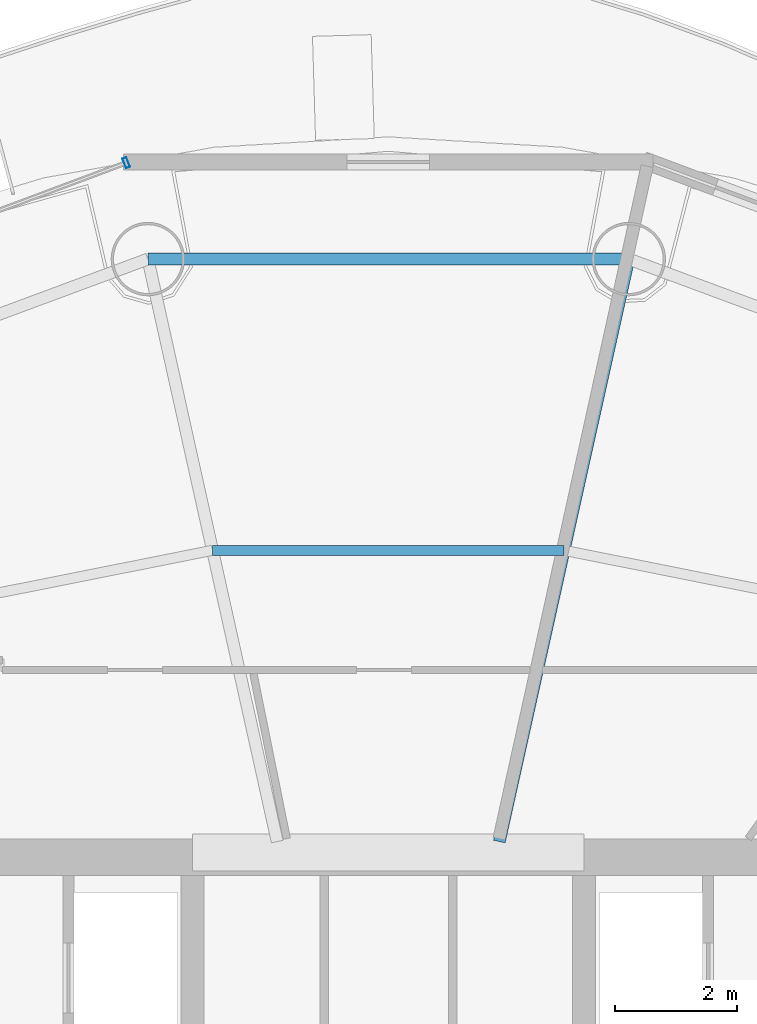
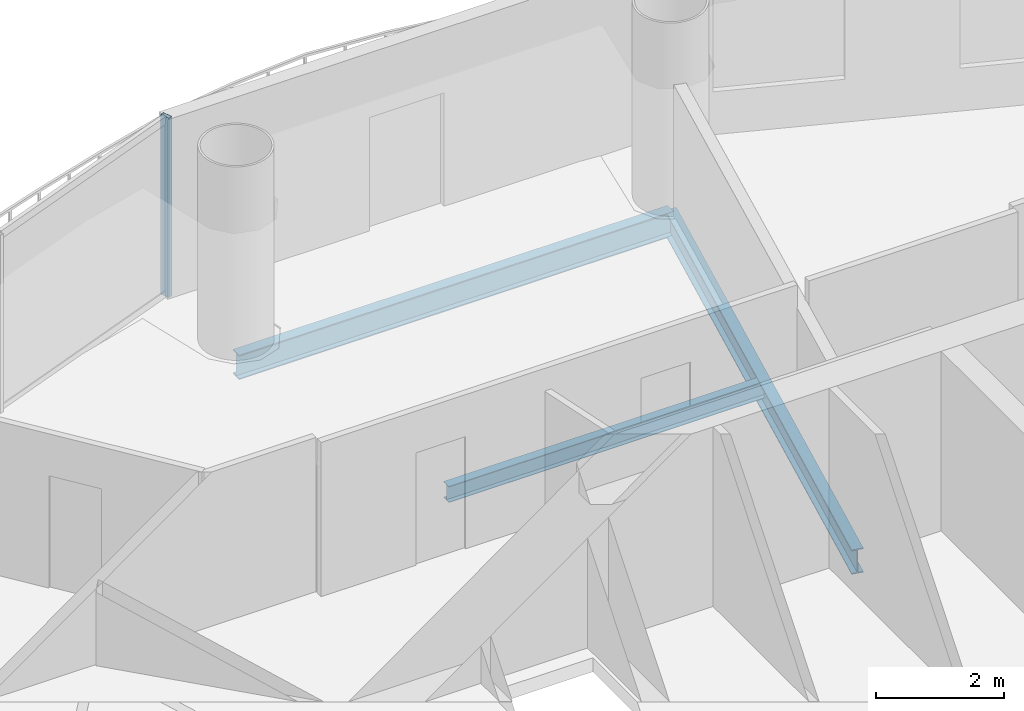
# One storey, part 16 of 26: 3 beams, 1 member, 1 element without a shape of its own.
"""IFC4 building model written with IfcOpenShell, lengths in metres."""

from ifc_helpers import new_model, si_unit, direction, frame, origin, origin_2d, place, context, subcontext, project, spatial, hollow_rectangle, i_section, extrude, source, transform, mapped, material, material_profile, profile_set, type_object, element, aggregate, save


model = new_model("IFC4")

# Units and contexts
model_context = context("Model", 3, precision=1e-05, world=origin(), true_north=direction((-0.2419218956, 0.970295726276)))
body_context = subcontext(model_context, "Body", "Model", "MODEL_VIEW")
ifc_project = project(units=[si_unit("LENGTHUNIT", "METRE"), si_unit("AREAUNIT", "SQUARE_METRE"), si_unit("VOLUMEUNIT", "CUBIC_METRE"), si_unit("PLANEANGLEUNIT", "RADIAN"), si_unit("MASSUNIT", "GRAM", prefix="KILO")], contexts=[model_context])

# Site, building, storey
site_placement = place(None, origin())
site = spatial("IfcSite", under=ifc_project, at=site_placement, CompositionType="ELEMENT")
building_placement = place(site_placement, origin())
building = spatial("IfcBuilding", under=site, at=building_placement, Name="Cobrevalo Terracotta Tower", CompositionType="ELEMENT")
storey_placement = place(building_placement, frame((0.0, 0.0, 220.800048828125)))
storey = spatial("IfcBuildingStorey", under=building, at=storey_placement, Name="L58", CompositionType="ELEMENT", Elevation=220.800048828125)

# Beams
ifc_material_1 = material(Name="Steel S355", Category="steel")
ifc_material_profile_1 = material_profile(ifc_material_1, i_section(OverallWidth=0.194091796875, OverallDepth=0.468994140625, WebThickness=0.011474609375, FlangeThickness=0.0205078125, at=origin_2d()), Name="W 460x106")
ifc_profile_set_1 = profile_set([ifc_material_profile_1], Name="Steel S355")
beam_type_1 = type_object("IfcBeamType", Name="Structural Beam W 460x106 (Steel S355)", PredefinedType="BEAM", material=ifc_profile_set_1)
beam_1_placement = place(storey_placement, frame((41.93115234375, 44.503173828125, -0.49951171875), z_axis=(-0.216782061165, -0.976220025382, 0.0), x_axis=(0.976220025382, -0.216782061165, 0.0)))
element("IfcBeam", 1, at=beam_1_placement, inside=storey, type_object=beam_type_1, Name="L58 radial floor girder 04", PredefinedType="BEAM", context=body_context, shape_type="SweptSolid", body=[
    extrude(i_section(OverallWidth=0.194091796875, OverallDepth=0.468994140625, WebThickness=0.011474609375, FlangeThickness=0.0205078125, at=origin_2d()), origin(), (0.0, 0.0, 1.0), 9.755126953125),
])
ifc_material_profile_2 = material_profile(ifc_material_1, i_section(OverallWidth=0.1650390625, OverallDepth=0.31005859375, WebThickness=0.005859375, FlangeThickness=0.009765625, at=origin_2d()), Name="W 310x38.7")
ifc_profile_set_2 = profile_set([ifc_material_profile_2], Name="Steel S355")
beam_type_2 = type_object("IfcBeamType", Name="Structural Joist W 310x38.7 (Steel S355)", PredefinedType="JOIST", material=ifc_profile_set_2)
beam_2_placement = place(storey_placement, frame((40.873779296875, 39.74169921875, -0.420166015625), z_axis=(-1.0, 0.0, 0.0), x_axis=(0.0, -1.0, 0.0)))
element("IfcBeam", 2, at=beam_2_placement, inside=storey, type_object=beam_type_2, Name="L58 circumferential secondary floor joist 04", PredefinedType="JOIST", context=body_context, shape_type="SweptSolid", body=[
    extrude(i_section(OverallWidth=0.1650390625, OverallDepth=0.31005859375, WebThickness=0.005859375, FlangeThickness=0.009765625, at=origin_2d()), origin(), (0.0, 0.0, 1.0), 5.74755859375),
])
ifc_material_profile_3 = material_profile(ifc_material_1, i_section(OverallWidth=0.194091796875, OverallDepth=0.468994140625, WebThickness=0.011474609375, FlangeThickness=0.0205078125, at=origin_2d()), Name="W 460x106")
ifc_profile_set_3 = profile_set([ifc_material_profile_3], Name="Steel S355")
beam_type_3 = type_object("IfcBeamType", Name="Structural Spandrel W 460x106 (Steel S355)", PredefinedType="SPANDREL", material=ifc_profile_set_3)
beam_3_placement = place(storey_placement, frame((41.93115234375, 44.503173828125, -0.49951171875), z_axis=(-1.0, 0.0, 0.0), x_axis=(0.0, -1.0, 0.0)))
element("IfcBeam", 3, at=beam_3_placement, inside=storey, type_object=beam_type_3, Name="L58 perimeter ring spandrel 04", PredefinedType="SPANDREL", context=body_context, shape_type="SweptSolid", body=[
    extrude(i_section(OverallWidth=0.194091796875, OverallDepth=0.468994140625, WebThickness=0.011474609375, FlangeThickness=0.0205078125, at=origin_2d()), origin(), (0.0, 0.0, 1.0), 7.8623046875),
])

# Curtain wall, member
ifc_material_2 = material(Name="Anodized aluminium", Category="aluminium")
curtain_wall_type = type_object("IfcCurtainWallType", Name="Mid-tower high-wind unitised curtain wall CW-U2", PredefinedType="NOTDEFINED", material=ifc_material_2)
curtain_wall_placement = place(storey_placement, origin())
curtain_wall = element("IfcCurtainWall", 4, at=curtain_wall_placement, inside=storey, type_object=curtain_wall_type, Name="L58 curtain wall CW-L58-S05", PredefinedType="NOTDEFINED")
ifc_material_profile_4 = material_profile(ifc_material_2, hollow_rectangle(XDim=0.070068359375, YDim=0.169921875, WallThickness=0.00439453125, at=origin_2d()), Name="CWM 70x170")
ifc_profile_set_4 = profile_set([ifc_material_profile_4], Name="Anodized aluminium")
member_type = type_object("IfcMemberType", Name="Upper tower unitised mullion 70x170", PredefinedType="MULLION", material=ifc_profile_set_4)
shared_shape = source(origin(), body_context, "Body", "SweptSolid", [
    extrude(hollow_rectangle(XDim=0.070068359375, YDim=0.169921875, WallThickness=0.00439453125, at=origin_2d()), origin(), (0.0, 0.0, 1.0), 3.43505859375),
])
member_placement = place(storey_placement, frame((33.71533203125, 46.078125, 0.0), z_axis=(0.0, 0.0, 1.0), x_axis=(-0.936556004584, -0.350517974259, 0.0)))
member = element("IfcMember", 5, at=member_placement, type_object=member_type, Name="CW-L58-S05 vertical mullion 01", PredefinedType="MULLION", context=body_context, shape_type="MappedRepresentation", body=[
    mapped(shared_shape, transform((0.0, 0.0, 0.0), scale=1.0)),
])
aggregate(curtain_wall, [member])

save(model, "model.ifc")
